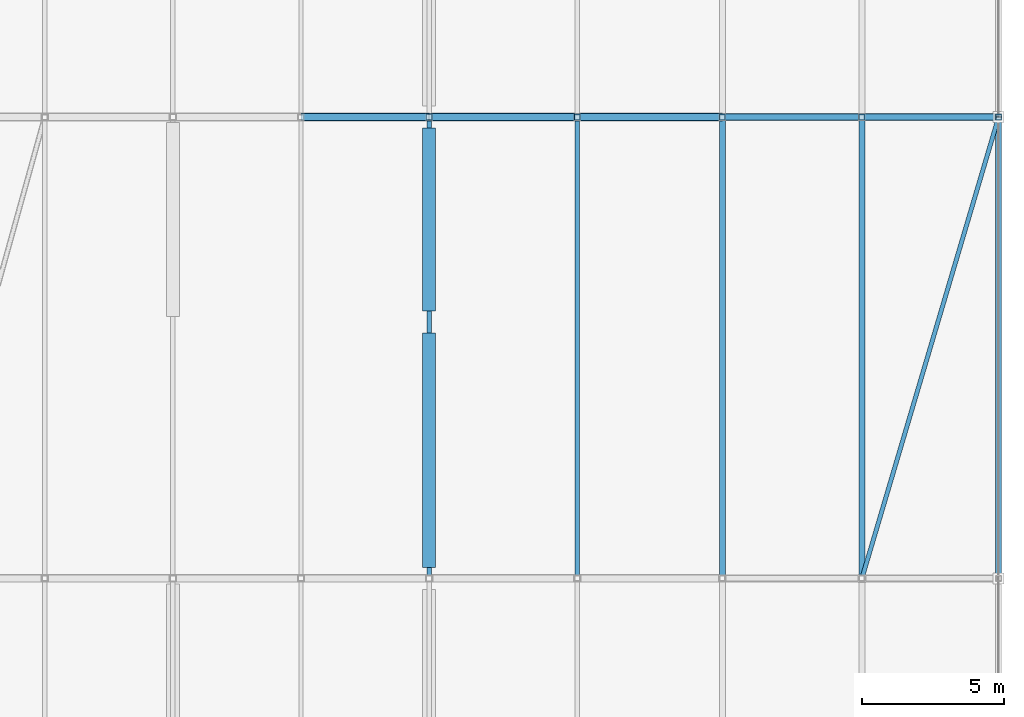
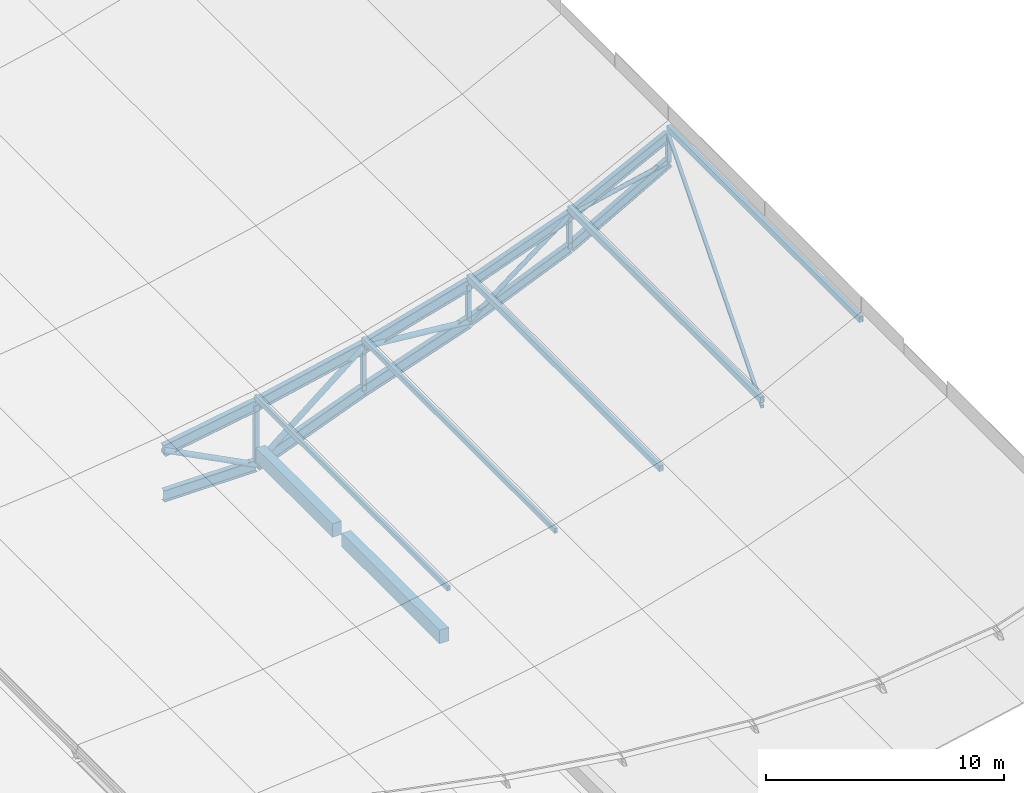
# One storey, part 12 of 24: 16 members, 12 beams.
"""IFC4 building model written with IfcOpenShell, lengths in metres."""

from ifc_helpers import new_model, si_unit, direction, frame, origin, origin_2d, place, context, subcontext, project, spatial, rectangle, hollow_rectangle, hollow_circle, i_section, extrude, material, material_profile, profile_set, type_object, element, save


model = new_model("IFC4")

# Units and contexts
model_context = context("Model", 3, precision=1e-05, world=origin(), true_north=direction((0.0, 1.0)))
body_context = subcontext(model_context, "Body", "Model", "MODEL_VIEW")
ifc_project = project(units=[si_unit("LENGTHUNIT", "METRE"), si_unit("AREAUNIT", "SQUARE_METRE"), si_unit("VOLUMEUNIT", "CUBIC_METRE"), si_unit("PLANEANGLEUNIT", "RADIAN"), si_unit("MASSUNIT", "GRAM", prefix="KILO"), si_unit("THERMODYNAMICTEMPERATUREUNIT", "KELVIN"), si_unit("POWERUNIT", "WATT")], contexts=[model_context])

# Site, building, storey
site_placement = place(None, origin())
site = spatial("IfcSite", under=ifc_project, at=site_placement, CompositionType="ELEMENT")
building_placement = place(site_placement, origin())
building = spatial("IfcBuilding", under=site, at=building_placement, Name="Sindhuravela Promenade Stadium", CompositionType="ELEMENT")
storey_placement = place(building_placement, frame((0.0, 0.0, 28.800048828125)))
storey = spatial("IfcBuildingStorey", under=building, at=storey_placement, Name="RF", CompositionType="ELEMENT", Elevation=28.800048828125)

# Beams
ifc_material_1 = material(Name="Concrete M40", Category="concrete")
ifc_material_profile_1 = material_profile(ifc_material_1, rectangle(XDim=0.449951171875, YDim=0.699951171875, at=origin_2d()), Name="RC 450x700")
ifc_profile_set_1 = profile_set([ifc_material_profile_1], Name="Concrete M40")
beam_type_1 = type_object("IfcBeamType", Name="RC-BM-450x700", PredefinedType="BEAM", material=ifc_profile_set_1)
beam_1_placement = place(storey_placement, frame((36.0, 68.7900390625, -0.590087890625), z_axis=(0.0, 1.0, 0.0), x_axis=(-1.0, 0.0, 0.0)))
element("IfcBeam", 1, at=beam_1_placement, inside=storey, type_object=beam_type_1, Name="Primary beam GB07 WEST RF", PredefinedType="BEAM", context=body_context, shape_type="SweptSolid", body=[
    extrude(rectangle(XDim=0.449951171875, YDim=0.699951171875, at=origin_2d()), origin(), (0.0, 0.0, 1.0), 8.219970703125),
])
beam_2_placement = place(storey_placement, frame((36.0, 77.7900390625, -0.590087890625), z_axis=(0.0, 1.0, 0.0), x_axis=(-1.0, 0.0, 0.0)))
element("IfcBeam", 2, at=beam_2_placement, inside=storey, type_object=beam_type_1, Name="Primary beam GB07 WEST RF", PredefinedType="BEAM", context=body_context, shape_type="SweptSolid", body=[
    extrude(rectangle(XDim=0.449951171875, YDim=0.699951171875, at=origin_2d()), origin(), (0.0, 0.0, 1.0), 6.419921875),
])
ifc_material_2 = material(Name="Steel E350 (IS 2062 E350BR)", Category="steel")
ifc_material_profile_2 = material_profile(ifc_material_2, i_section(OverallWidth=0.25, OverallDepth=0.5, WebThickness=0.010009765625, FlangeThickness=0.0146484375, FilletRadius=0.014892578125, at=origin_2d()), Name="ISWB 500")
ifc_profile_set_2 = profile_set([ifc_material_profile_2], Name="Steel E350 (IS 2062 E350BR)")
beam_type_2 = type_object("IfcBeamType", Name="ST-BM-WB500", PredefinedType="USERDEFINED", material=ifc_profile_set_2)
beam_3_placement = place(storey_placement, frame((46.300048828125, 84.60009765625, 4.24658203125), z_axis=(0.9381490392087664, 0.0, 0.34623168577076896), x_axis=(0.0, 1.0, 0.0)))
element("IfcBeam", 3, at=beam_3_placement, inside=storey, type_object=beam_type_2, Name="Roof truss RT-W05 top chord 7", ObjectType="ROOF TRUSS", PredefinedType="USERDEFINED", context=body_context, shape_type="SweptSolid", body=[
    extrude(i_section(OverallWidth=0.25, OverallDepth=0.5, WebThickness=0.010009765625, FlangeThickness=0.0146484375, FilletRadius=0.014892578125, at=origin_2d()), origin(), (0.0, 0.0, 1.0), 5.222900390625),
])
beam_4_placement = place(storey_placement, frame((46.300048828125, 84.60009765625, 2.325927734375), z_axis=(0.9202112137061758, 0.0, 0.39142217894417647), x_axis=(0.0, 1.0, 0.0)))
element("IfcBeam", 4, at=beam_4_placement, inside=storey, type_object=beam_type_2, Name="Roof truss RT-W05 bottom chord 7", ObjectType="ROOF TRUSS", PredefinedType="USERDEFINED", context=body_context, shape_type="SweptSolid", body=[
    extrude(i_section(OverallWidth=0.25, OverallDepth=0.5, WebThickness=0.010009765625, FlangeThickness=0.0146484375, FilletRadius=0.014892578125, at=origin_2d()), origin(), (0.0, 0.0, 1.0), 5.32470703125),
])
beam_5_placement = place(storey_placement, frame((51.199951171875, 84.60009765625, 6.054931640625), z_axis=(0.8914422517070215, 0.0, 0.4531343199003089), x_axis=(0.0, 1.0, 0.0)))
element("IfcBeam", 5, at=beam_5_placement, inside=storey, type_object=beam_type_2, Name="Roof truss RT-W05 top chord 8", ObjectType="ROOF TRUSS", PredefinedType="USERDEFINED", context=body_context, shape_type="SweptSolid", body=[
    extrude(i_section(OverallWidth=0.25, OverallDepth=0.5, WebThickness=0.010009765625, FlangeThickness=0.0146484375, FilletRadius=0.014892578125, at=origin_2d()), origin(), (0.0, 0.0, 1.0), 5.384521484375),
])
beam_6_placement = place(storey_placement, frame((51.199951171875, 84.60009765625, 4.41015625), z_axis=(0.870823391625607, 0.0, 0.4915959932685322), x_axis=(0.0, 1.0, 0.0)))
element("IfcBeam", 6, at=beam_6_placement, inside=storey, type_object=beam_type_2, Name="Roof truss RT-W05 bottom chord 8", ObjectType="ROOF TRUSS", PredefinedType="USERDEFINED", context=body_context, shape_type="SweptSolid", body=[
    extrude(i_section(OverallWidth=0.25, OverallDepth=0.5, WebThickness=0.010009765625, FlangeThickness=0.0146484375, FilletRadius=0.014892578125, at=origin_2d()), origin(), (0.0, 0.0, 1.0), 5.511962890625),
])
ifc_material_profile_3 = material_profile(ifc_material_2, i_section(OverallWidth=0.25, OverallDepth=0.60009765625, WebThickness=0.01171875, FlangeThickness=0.023681640625, FilletRadius=0.01708984375, at=origin_2d()), Name="ISWB 600")
ifc_profile_set_3 = profile_set([ifc_material_profile_3], Name="Steel E350 (IS 2062 E350BR)")
beam_type_3 = type_object("IfcBeamType", Name="ST-BM-WB600", PredefinedType="USERDEFINED", material=ifc_profile_set_3)
beam_7_placement = place(storey_placement, frame((31.5, 84.60009765625, 0.91796875), z_axis=(0.9860007817439423, 0.0, 0.16674069209504494), x_axis=(0.0, 1.0, 0.0)))
element("IfcBeam", 7, at=beam_7_placement, inside=storey, type_object=beam_type_3, Name="Roof truss RT-W05 top chord 4", ObjectType="ROOF TRUSS", PredefinedType="USERDEFINED", context=body_context, shape_type="SweptSolid", body=[
    extrude(i_section(OverallWidth=0.25, OverallDepth=0.60009765625, WebThickness=0.01171875, FlangeThickness=0.023681640625, FilletRadius=0.01708984375, at=origin_2d()), origin(), (0.0, 0.0, 1.0), 4.56396484375),
])
beam_8_placement = place(storey_placement, frame((31.5, 84.60009765625, -1.400146484375), z_axis=(1.0, 0.0, 0.0), x_axis=(0.0, 1.0, 0.0)))
element("IfcBeam", 8, at=beam_8_placement, inside=storey, type_object=beam_type_3, Name="Roof truss RT-W05 bottom chord 4", ObjectType="ROOF TRUSS", PredefinedType="USERDEFINED", context=body_context, shape_type="SweptSolid", body=[
    extrude(i_section(OverallWidth=0.25, OverallDepth=0.60009765625, WebThickness=0.01171875, FlangeThickness=0.023681640625, FilletRadius=0.01708984375, at=origin_2d()), origin(), (0.0, 0.0, 1.0), 4.5),
])
beam_9_placement = place(storey_placement, frame((36.0, 84.60009765625, 1.678955078125), z_axis=(0.9771784342317954, 0.0, 0.21242012068609853), x_axis=(0.0, 1.0, 0.0)))
element("IfcBeam", 9, at=beam_9_placement, inside=storey, type_object=beam_type_3, Name="Roof truss RT-W05 top chord 5", ObjectType="ROOF TRUSS", PredefinedType="USERDEFINED", context=body_context, shape_type="SweptSolid", body=[
    extrude(i_section(OverallWidth=0.25, OverallDepth=0.60009765625, WebThickness=0.01171875, FlangeThickness=0.023681640625, FilletRadius=0.01708984375, at=origin_2d()), origin(), (0.0, 0.0, 1.0), 5.3212890625),
])
beam_10_placement = place(storey_placement, frame((36.0, 84.60009765625, -1.400146484375), z_axis=(0.9332269823320635, 0.0, 0.3592873494118466), x_axis=(0.0, 1.0, 0.0)))
element("IfcBeam", 10, at=beam_10_placement, inside=storey, type_object=beam_type_3, Name="Roof truss RT-W05 bottom chord 5", ObjectType="ROOF TRUSS", PredefinedType="USERDEFINED", context=body_context, shape_type="SweptSolid", body=[
    extrude(i_section(OverallWidth=0.25, OverallDepth=0.60009765625, WebThickness=0.01171875, FlangeThickness=0.023681640625, FilletRadius=0.01708984375, at=origin_2d()), origin(), (0.0, 0.0, 1.0), 5.572021484375),
])
beam_11_placement = place(storey_placement, frame((41.199951171875, 84.60009765625, 2.809326171875), z_axis=(0.9625104587283877, 0.0, 0.2712445701548118), x_axis=(0.0, 1.0, 0.0)))
element("IfcBeam", 11, at=beam_11_placement, inside=storey, type_object=beam_type_3, Name="Roof truss RT-W05 top chord 6", ObjectType="ROOF TRUSS", PredefinedType="USERDEFINED", context=body_context, shape_type="SweptSolid", body=[
    extrude(i_section(OverallWidth=0.25, OverallDepth=0.60009765625, WebThickness=0.01171875, FlangeThickness=0.023681640625, FilletRadius=0.01708984375, at=origin_2d()), origin(), (0.0, 0.0, 1.0), 5.298828125),
])
beam_12_placement = place(storey_placement, frame((41.199951171875, 84.60009765625, 0.601806640625), z_axis=(0.947332432417477, 0.0, 0.32025187351518536), x_axis=(0.0, 1.0, 0.0)))
element("IfcBeam", 12, at=beam_12_placement, inside=storey, type_object=beam_type_3, Name="Roof truss RT-W05 bottom chord 6", ObjectType="ROOF TRUSS", PredefinedType="USERDEFINED", context=body_context, shape_type="SweptSolid", body=[
    extrude(i_section(OverallWidth=0.25, OverallDepth=0.60009765625, WebThickness=0.01171875, FlangeThickness=0.023681640625, FilletRadius=0.01708984375, at=origin_2d()), origin(), (0.0, 0.0, 1.0), 5.383544921875),
])

# Members
ifc_material_profile_4 = material_profile(ifc_material_2, hollow_circle(Radius=0.109619140625, WallThickness=0.010009765625, at=origin_2d()), Name="CHS 219.1x10")
ifc_profile_set_4 = profile_set([ifc_material_profile_4], Name="Steel E350 (IS 2062 E350BR)")
member_type_1 = type_object("IfcMemberType", Name="ST-MB-CHS219", PredefinedType="BRACE", material=ifc_profile_set_4)
member_1_placement = place(storey_placement, frame((46.300048828125, 84.60009765625, 2.325927734375), z_axis=(0.7957647236205557, 0.0, 0.605605898783277), x_axis=(0.0, 1.0, 0.0)))
element("IfcMember", 13, at=member_1_placement, inside=storey, type_object=member_type_1, Name="Roof truss RT-W05 diagonal web 7", PredefinedType="BRACE", context=body_context, shape_type="SweptSolid", body=[
    extrude(hollow_circle(Radius=0.109619140625, WallThickness=0.010009765625, at=origin_2d()), origin(), (0.0, 0.0, 1.0), 6.157470703125),
])
member_2_placement = place(storey_placement, frame((51.199951171875, 84.60009765625, 6.054931640625), z_axis=(0.9762617763838976, 0.0, 0.21659396106945533), x_axis=(0.0, 1.0, 0.0)))
element("IfcMember", 14, at=member_2_placement, inside=storey, type_object=member_type_1, Name="Roof truss RT-W05 diagonal web 8", PredefinedType="BRACE", context=body_context, shape_type="SweptSolid", body=[
    extrude(hollow_circle(Radius=0.109619140625, WallThickness=0.010009765625, at=origin_2d()), origin(), (0.0, 0.0, 1.0), 4.916748046875),
])
ifc_material_profile_5 = material_profile(ifc_material_2, hollow_circle(Radius=0.136474609375, WallThickness=0.010009765625, at=origin_2d()), Name="CHS 273.0x10")
ifc_profile_set_5 = profile_set([ifc_material_profile_5], Name="Steel E350 (IS 2062 E350BR)")
member_type_2 = type_object("IfcMemberType", Name="ST-MB-CHS273", PredefinedType="BRACE", material=ifc_profile_set_5)
member_3_placement = place(storey_placement, frame((31.5, 84.60009765625, 0.91796875), z_axis=(0.8889799113932431, 0.0, -0.457946194589781), x_axis=(0.0, 1.0, 0.0)))
element("IfcMember", 15, at=member_3_placement, inside=storey, type_object=member_type_2, Name="Roof truss RT-W05 diagonal web 4", PredefinedType="BRACE", context=body_context, shape_type="SweptSolid", body=[
    extrude(hollow_circle(Radius=0.136474609375, WallThickness=0.010009765625, at=origin_2d()), origin(), (0.0, 0.0, 1.0), 5.06201171875),
])
member_4_placement = place(storey_placement, frame((36.0, 84.60009765625, -1.400146484375), z_axis=(0.7772457205233317, 0.0, 0.6291971788939991), x_axis=(0.0, 1.0, 0.0)))
element("IfcMember", 16, at=member_4_placement, inside=storey, type_object=member_type_2, Name="Roof truss RT-W05 diagonal web 5", PredefinedType="BRACE", context=body_context, shape_type="SweptSolid", body=[
    extrude(hollow_circle(Radius=0.136474609375, WallThickness=0.010009765625, at=origin_2d()), origin(), (0.0, 0.0, 1.0), 6.690185546875),
])
member_5_placement = place(storey_placement, frame((41.199951171875, 84.60009765625, 2.809326171875), z_axis=(0.9955382080230687, 0.0, -0.09435929401080306), x_axis=(0.0, 1.0, 0.0)))
element("IfcMember", 17, at=member_5_placement, inside=storey, type_object=member_type_2, Name="Roof truss RT-W05 diagonal web 6", PredefinedType="BRACE", context=body_context, shape_type="SweptSolid", body=[
    extrude(hollow_circle(Radius=0.136474609375, WallThickness=0.010009765625, at=origin_2d()), origin(), (0.0, 0.0, 1.0), 5.123046875),
])
ifc_material_profile_6 = material_profile(ifc_material_2, hollow_rectangle(XDim=0.14990234375, YDim=0.25, WallThickness=0.010009765625, at=origin_2d()), Name="RHS 250x150x10")
ifc_profile_set_6 = profile_set([ifc_material_profile_6], Name="Steel E350 (IS 2062 E350BR)")
member_type_3 = type_object("IfcMemberType", Name="ST-MB-RHS250", PredefinedType="PURLIN", material=ifc_profile_set_6)
for number, where, z_axis, x_axis, name in (
    (18, (36.0, 68.39990234375, 2.071044921875), (0.0, 1.0, 0.0), (-1.0, 0.0, 0.0), "Roof purlin PR01 W bay 4.5"),
    (19, (41.199951171875, 68.39990234375, 3.201416015625), (0.0, 1.0, 0.0), (-1.0, 0.0, 0.0), "Roof purlin PR01 W bay 4.6"),
):
    element("IfcMember", number, at=place(storey_placement, frame(where, z_axis=z_axis, x_axis=x_axis)), inside=storey, type_object=member_type_3, Name=name, PredefinedType="PURLIN", context=body_context, shape_type="SweptSolid", body=[
        extrude(hollow_rectangle(XDim=0.14990234375, YDim=0.25, WallThickness=0.010009765625, at=origin_2d()), origin(), (0.0, 0.0, 1.0), 16.2001953125),
    ])
ifc_material_profile_7 = material_profile(ifc_material_2, hollow_rectangle(XDim=0.199951171875, YDim=0.300048828125, WallThickness=0.010009765625, at=origin_2d()), Name="RHS 300x200x10")
ifc_profile_set_7 = profile_set([ifc_material_profile_7], Name="Steel E350 (IS 2062 E350BR)")
member_type_4 = type_object("IfcMemberType", Name="ST-MB-RHS300", PredefinedType="PURLIN", material=ifc_profile_set_7)
for number, where, z_axis, x_axis, name in (
    (20, (46.300048828125, 68.39990234375, 4.613525390625), (0.0, 1.0, 0.0), (-1.0, 0.0, 0.0), "Roof purlin PR02 W bay 4.7"),
    (21, (51.199951171875, 68.39990234375, 6.422119140625), (0.0, 1.0, 0.0), (-1.0, 0.0, 0.0), "Roof purlin PR02 W bay 4.8"),
    (22, (56.0, 68.39990234375, 8.862060546875), (0.0, 1.0, 0.0), (-1.0, 0.0, 0.0), "Roof purlin PR02 W bay 4.9"),
):
    element("IfcMember", number, at=place(storey_placement, frame(where, z_axis=z_axis, x_axis=x_axis)), inside=storey, type_object=member_type_4, Name=name, PredefinedType="PURLIN", context=body_context, shape_type="SweptSolid", body=[
        extrude(hollow_rectangle(XDim=0.199951171875, YDim=0.300048828125, WallThickness=0.010009765625, at=origin_2d()), origin(), (0.0, 0.0, 1.0), 16.2001953125),
    ])
ifc_material_profile_8 = material_profile(ifc_material_2, hollow_rectangle(XDim=0.14990234375, YDim=0.14990234375, WallThickness=0.008056640625, at=origin_2d()), Name="SHS 150x150x8")
ifc_profile_set_8 = profile_set([ifc_material_profile_8], Name="Steel E350 (IS 2062 E350BR)")
member_type_5 = type_object("IfcMemberType", Name="ST-MB-SHS150", PredefinedType="BRACE", material=ifc_profile_set_8)
member_6_placement = place(storey_placement, frame((51.199951171875, 68.39990234375, 6.054931640625), z_axis=(0.2811713029465046, 0.9489549350652693, 0.14292385950090875), x_axis=(-0.9587982584768123, 0.28408783772247587, 0.0)))
element("IfcMember", 23, at=member_6_placement, inside=storey, type_object=member_type_5, Name="Roof wind brace MB01 W bay 4", PredefinedType="BRACE", context=body_context, shape_type="SweptSolid", body=[
    extrude(hollow_rectangle(XDim=0.14990234375, YDim=0.14990234375, WallThickness=0.008056640625, at=origin_2d()), origin(), (0.0, 0.0, 1.0), 17.071533203125),
])
ifc_material_profile_9 = material_profile(ifc_material_2, hollow_rectangle(XDim=0.199951171875, YDim=0.199951171875, WallThickness=0.010009765625, at=origin_2d()), Name="SHS 200x200x10")
ifc_profile_set_9 = profile_set([ifc_material_profile_9], Name="Steel E350 (IS 2062 E350BR)")
member_type_6 = type_object("IfcMemberType", Name="ST-MB-SHS200", PredefinedType="POST", material=ifc_profile_set_9)
member_7_placement = place(storey_placement, frame((41.199951171875, 84.60009765625, 0.601806640625), z_axis=(0.0, 0.0, 1.0), x_axis=(1.0, 0.0, 0.0)))
element("IfcMember", 24, at=member_7_placement, inside=storey, type_object=member_type_6, Name="Roof truss RT-W05 vertical post 6", PredefinedType="POST", context=body_context, shape_type="SweptSolid", body=[
    extrude(hollow_rectangle(XDim=0.199951171875, YDim=0.199951171875, WallThickness=0.010009765625, at=origin_2d()), origin(), (0.0, 0.0, 1.0), 2.20751953125),
])
member_8_placement = place(storey_placement, frame((46.300048828125, 84.60009765625, 2.325927734375), z_axis=(0.0, 0.0, 1.0), x_axis=(1.0, 0.0, 0.0)))
element("IfcMember", 25, at=member_8_placement, inside=storey, type_object=member_type_6, Name="Roof truss RT-W05 vertical post 7", PredefinedType="POST", context=body_context, shape_type="SweptSolid", body=[
    extrude(hollow_rectangle(XDim=0.199951171875, YDim=0.199951171875, WallThickness=0.010009765625, at=origin_2d()), origin(), (0.0, 0.0, 1.0), 1.920654296875),
])
member_9_placement = place(storey_placement, frame((51.199951171875, 84.60009765625, 4.41015625), z_axis=(0.0, 0.0, 1.0), x_axis=(1.0, 0.0, 0.0)))
element("IfcMember", 26, at=member_9_placement, inside=storey, type_object=member_type_6, Name="Roof truss RT-W05 vertical post 8", PredefinedType="POST", context=body_context, shape_type="SweptSolid", body=[
    extrude(hollow_rectangle(XDim=0.199951171875, YDim=0.199951171875, WallThickness=0.010009765625, at=origin_2d()), origin(), (0.0, 0.0, 1.0), 1.644775390625),
])
member_10_placement = place(storey_placement, frame((56.0, 84.60009765625, 7.119873046875), z_axis=(0.0, 0.0, 1.0), x_axis=(1.0, 0.0, 0.0)))
element("IfcMember", 27, at=member_10_placement, inside=storey, type_object=member_type_6, Name="Roof truss RT-W05 vertical post 9", PredefinedType="POST", context=body_context, shape_type="SweptSolid", body=[
    extrude(hollow_rectangle(XDim=0.199951171875, YDim=0.199951171875, WallThickness=0.010009765625, at=origin_2d()), origin(), (0.0, 0.0, 1.0), 1.375),
])
ifc_material_profile_10 = material_profile(ifc_material_2, hollow_rectangle(XDim=0.219970703125, YDim=0.219970703125, WallThickness=0.011962890625, at=origin_2d()), Name="SHS 220x220x12")
ifc_profile_set_10 = profile_set([ifc_material_profile_10], Name="Steel E350 (IS 2062 E350BR)")
member_type_7 = type_object("IfcMemberType", Name="ST-MB-SHS220", PredefinedType="POST", material=ifc_profile_set_10)
member_11_placement = place(storey_placement, frame((36.0, 84.60009765625, -1.400146484375), z_axis=(0.0, 0.0, 1.0), x_axis=(1.0, 0.0, 0.0)))
element("IfcMember", 28, at=member_11_placement, inside=storey, type_object=member_type_7, Name="Roof truss RT-W05 vertical post 5", PredefinedType="POST", context=body_context, shape_type="SweptSolid", body=[
    extrude(hollow_rectangle(XDim=0.219970703125, YDim=0.219970703125, WallThickness=0.011962890625, at=origin_2d()), origin(), (0.0, 0.0, 1.0), 3.0791015625),
])

save(model, "model.ifc")
